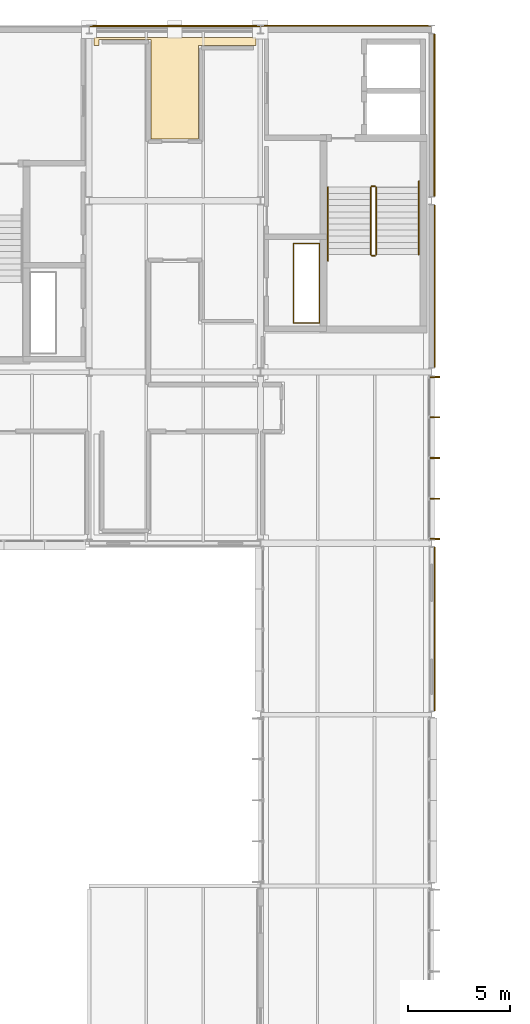
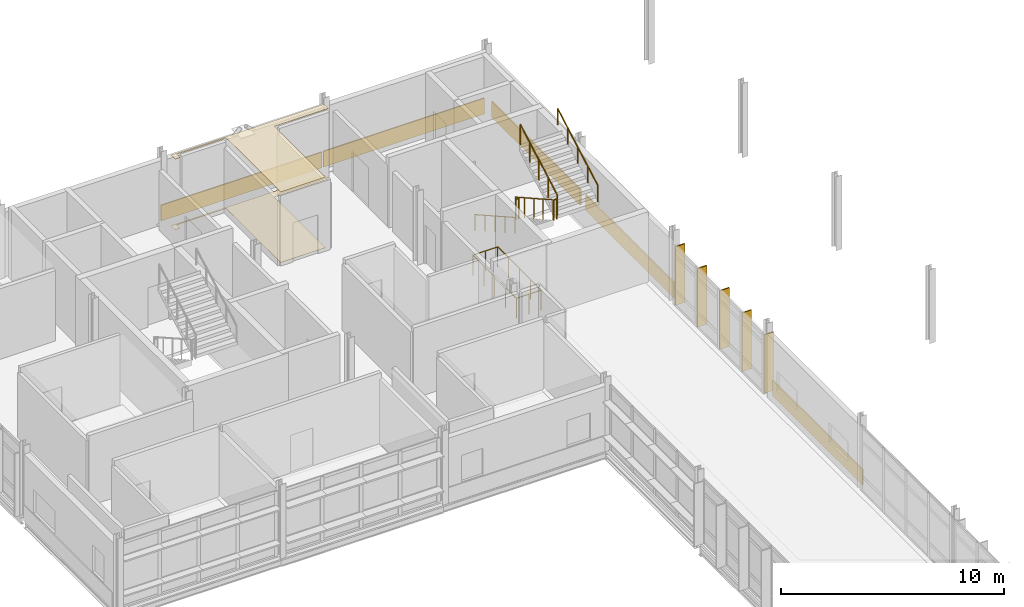
# One storey, part 66 of 66: 7 coverings, 7 railings, 5 shading devices.
"""IFC4 building model written with IfcOpenShell, lengths in metres."""

from ifc_helpers import new_model, si_unit, direction, frame, origin, origin_2d, place, context, subcontext, project, spatial, polyline, rectangle, circle, outline, extrude, material, layer, layer_set, type_object, element, save


model = new_model("IFC4")

# Units and contexts
model_context = context("Model", 3, precision=1e-05, world=origin(), true_north=direction((0.0, 1.0)))
body_context = subcontext(model_context, "Body", "Model", "MODEL_VIEW")
ifc_project = project(units=[si_unit("LENGTHUNIT", "METRE"), si_unit("AREAUNIT", "SQUARE_METRE"), si_unit("VOLUMEUNIT", "CUBIC_METRE"), si_unit("PLANEANGLEUNIT", "RADIAN"), si_unit("MASSUNIT", "GRAM", prefix="KILO")], contexts=[model_context])

# Site, building, storey
site_placement = place(None, origin())
site = spatial("IfcSite", under=ifc_project, at=site_placement, CompositionType="ELEMENT")
building_placement = place(site_placement, origin())
building = spatial("IfcBuilding", under=site, at=building_placement, Name="Mersafa Astral City Hall", CompositionType="ELEMENT")
storey_placement = place(building_placement, frame((0.0, 0.0, 22.050048828125)))
storey = spatial("IfcBuildingStorey", under=building, at=storey_placement, Name="L05", CompositionType="ELEMENT", Elevation=22.050048828125)

# Coverings
ifc_material_1 = material(Name="Cairo Mokattam buff limestone cladding", Category="masonry")
ifc_layer_1 = layer(ifc_material_1, 0.06005859375, Name="Cairo Mokattam buff limestone cladding")
ifc_layer_set_1 = layer_set([ifc_layer_1], Name="Cairo Mokattam buff limestone cladding — ENV-COV-LIMESTONE-60")
covering_type_1 = type_object("IfcCoveringType", Name="ENV-COV-LIMESTONE-60", PredefinedType="CLADDING", material=ifc_layer_set_1)
covering_1_placement = place(storey_placement, frame((176.554443359375, 96.590087890625, 0.0), z_axis=(0.0, 0.0, 1.0), x_axis=(0.0, 1.0, 0.0)))
element("IfcCovering", 1, at=covering_1_placement, inside=storey, type_object=covering_type_1, Name="L05 Cairo buff limestone rainscreen cladding 323", PredefinedType="CLADDING", context=body_context, shape_type="SweptSolid", body=[
    extrude(rectangle(XDim=8.028076171875, YDim=0.06005859375, at=origin_2d()), origin(), (0.0, 0.0, 1.0), 0.860107421875),
])
for number, where, z_axis, x_axis, name in (
    (2, (176.547119140625, 113.39990234375, 0.0), (0.0, 0.0, 1.0), (0.0, 1.0, 0.0), "L05 Cairo buff limestone rainscreen cladding 324"),
    (3, (176.53955078125, 121.800048828125, 0.0), (0.0, 0.0, 1.0), (0.0, 1.0, 0.0), "L05 Cairo buff limestone rainscreen cladding 325"),
):
    element("IfcCovering", number, at=place(storey_placement, frame(where, z_axis=z_axis, x_axis=x_axis)), inside=storey, type_object=covering_type_1, Name=name, PredefinedType="CLADDING", context=body_context, shape_type="SweptSolid", body=[
        extrude(rectangle(XDim=7.947998046875, YDim=0.06005859375, at=origin_2d()), origin(), (0.0, 0.0, 1.0), 0.860107421875),
    ])
for number, where, z_axis, x_axis, name in (
    (4, (172.199951171875, 126.177001953125, 0.0), (0.0, 0.0, 1.0), (-1.0, 0.0, 0.0), "L05 Cairo buff limestone rainscreen cladding 326"),
    (5, (163.800048828125, 126.16943359375, 0.0), (0.0, 0.0, 1.0), (-1.0, 0.0, 0.0), "L05 Cairo buff limestone rainscreen cladding 327"),
):
    element("IfcCovering", number, at=place(storey_placement, frame(where, z_axis=z_axis, x_axis=x_axis)), inside=storey, type_object=covering_type_1, Name=name, PredefinedType="CLADDING", context=body_context, shape_type="SweptSolid", body=[
        extrude(rectangle(XDim=8.323974609375, YDim=0.06005859375, at=origin_2d()), origin(), (0.0, 0.0, 1.0), 0.860107421875),
    ])

# Shading devices
ifc_material_2 = material(Name="Anodised bronze aluminium solar fin", Category="aluminium")
shading_device_type = type_object("IfcShadingDeviceType", Name="ENV-SHD-FIN-500A", PredefinedType="USERDEFINED", material=ifc_material_2)
for number, where, z_axis, x_axis, name in (
    (6, (176.544921875, 101.011962890625, -0.01513671875), (0.0, 0.0, 1.0), (0.0, 1.0, 0.0), "L05 Vertical bronze solar fin 1455"),
    (7, (176.544921875, 102.9833984375, -0.01513671875), (0.0, 0.0, 1.0), (0.0, 1.0, 0.0), "L05 Vertical bronze solar fin 1456"),
    (8, (176.544921875, 104.985107421875, -0.01513671875), (0.0, 0.0, 1.0), (0.0, 1.0, 0.0), "L05 Vertical bronze solar fin 1457"),
    (9, (176.544921875, 106.986572265625, -0.01513671875), (0.0, 0.0, 1.0), (0.0, 1.0, 0.0), "L05 Vertical bronze solar fin 1458"),
    (10, (176.544921875, 108.9580078125, -0.01513671875), (0.0, 0.0, 1.0), (0.0, 1.0, 0.0), "L05 Vertical bronze solar fin 1459"),
):
    element("IfcShadingDevice", number, at=place(storey_placement, frame(where, z_axis=z_axis, x_axis=x_axis)), inside=storey, type_object=shading_device_type, Name=name, ObjectType="FIN", PredefinedType="USERDEFINED", context=body_context, shape_type="SweptSolid", body=[
        extrude(rectangle(XDim=0.06005859375, YDim=0.5, at=origin_2d()), origin(), (0.0, 0.0, 1.0), 3.20703125),
    ])

# Railings
ifc_material_3 = material(Name="Painted architectural steel stair guard balustrade", Category="steel")
railing_type_1 = type_object("IfcRailingType", Name="GUARD-RAIL", PredefinedType="BALUSTRADE", material=ifc_material_3)
railing_1_placement = place(storey_placement, frame((173.409912109375, 118.260009765625, 0.168701171875)))
element("IfcRailing", 11, at=railing_1_placement, inside=storey, type_object=railing_type_1, Name="L05 ST2 stair guard 1", PredefinedType="BALUSTRADE", context=body_context, shape_type="SweptSolid", body=[
    extrude(circle(Radius=0.02392578125, at=origin_2d()), frame((0.0, 0.0, 1.09619140625), z_axis=(0.0, -0.871584147158, 0.490245932592), x_axis=(1.0, 0.0, 0.0)), (0.0, 0.0, 1.0), 3.786376953125),
    extrude(circle(Radius=0.02099609375, at=origin_2d()), origin(), (0.0, 0.0, 1.0), 1.072021484375),
    extrude(circle(Radius=0.02099609375, at=origin_2d()), frame((0.0, -0.824951171875, 0.464111328125)), (0.0, 0.0, 1.0), 1.072021484375),
    extrude(circle(Radius=0.02099609375, at=origin_2d()), frame((0.0, -1.64990234375, 0.92822265625)), (0.0, 0.0, 1.0), 1.072021484375),
    extrude(circle(Radius=0.02099609375, at=origin_2d()), frame((0.0, -2.47509765625, 1.39208984375)), (0.0, 0.0, 1.0), 1.072021484375),
    extrude(circle(Radius=0.02099609375, at=origin_2d()), frame((0.0, -3.300048828125, 1.856201171875)), (0.0, 0.0, 1.0), 1.072021484375),
])
railing_2_placement = place(storey_placement, frame((173.4599609375, 114.909912109375, 2.02490234375)))
element("IfcRailing", 12, at=railing_2_placement, inside=storey, type_object=railing_type_1, Name="L05 ST2 stair guard 2", PredefinedType="BALUSTRADE", context=body_context, shape_type="SweptSolid", body=[
    extrude(circle(Radius=0.02392578125, at=origin_2d()), frame((0.0, 0.0, 1.09619140625), z_axis=(1.0, 0.0, 0.0), x_axis=(0.0, 1.0, 0.0)), (0.0, 0.0, 1.0), 0.16015625),
    extrude(circle(Radius=0.02099609375, at=origin_2d()), origin(), (0.0, 0.0, 1.0), 1.072021484375),
    extrude(circle(Radius=0.02099609375, at=origin_2d()), frame((0.16015625, 0.0, 0.0)), (0.0, 0.0, 1.0), 1.072021484375),
])
railing_3_placement = place(storey_placement, frame((173.669921875, 114.9599609375, 2.193603515625)))
element("IfcRailing", 13, at=railing_3_placement, inside=storey, type_object=railing_type_1, Name="L05 ST2 stair guard 3", PredefinedType="BALUSTRADE", context=body_context, shape_type="SweptSolid", body=[
    extrude(circle(Radius=0.02392578125, at=origin_2d()), frame((0.0, 0.0, 1.09619140625), z_axis=(0.0, 0.871556594703, 0.490294913526), x_axis=(-1.0, 0.0, 0.0)), (0.0, 0.0, 1.0), 3.786376953125),
    extrude(circle(Radius=0.02099609375, at=origin_2d()), origin(), (0.0, 0.0, 1.0), 1.072021484375),
    extrude(circle(Radius=0.02099609375, at=origin_2d()), frame((0.0, 0.824951171875, 0.464111328125)), (0.0, 0.0, 1.0), 1.072021484375),
    extrude(circle(Radius=0.02099609375, at=origin_2d()), frame((0.0, 1.64990234375, 0.92822265625)), (0.0, 0.0, 1.0), 1.072021484375),
    extrude(circle(Radius=0.02099609375, at=origin_2d()), frame((0.0, 2.47509765625, 1.392333984375)), (0.0, 0.0, 1.0), 1.072021484375),
    extrude(circle(Radius=0.02099609375, at=origin_2d()), frame((0.0, 3.300048828125, 1.8564453125)), (0.0, 0.0, 1.0), 1.072021484375),
])
railing_4_placement = place(storey_placement, frame((173.4599609375, 118.31005859375, 0.0)))
element("IfcRailing", 14, at=railing_4_placement, inside=storey, type_object=railing_type_1, Name="L05 ST2 stair guard 4", PredefinedType="BALUSTRADE", context=body_context, shape_type="SweptSolid", body=[
    extrude(circle(Radius=0.02392578125, at=origin_2d()), frame((0.0, 0.0, 1.09619140625), z_axis=(1.0, 0.0, 0.0), x_axis=(0.0, 1.0, 0.0)), (0.0, 0.0, 1.0), 0.16015625),
    extrude(circle(Radius=0.02099609375, at=origin_2d()), origin(), (0.0, 0.0, 1.0), 1.072021484375),
    extrude(circle(Radius=0.02099609375, at=origin_2d()), frame((0.16015625, 0.0, 0.0)), (0.0, 0.0, 1.0), 1.072021484375),
])
railing_5_placement = place(storey_placement, frame((169.6201171875, 111.60009765625, 0.0)))
element("IfcRailing", 15, at=railing_5_placement, inside=storey, type_object=railing_type_1, Name="L05 K2 MEP Riser Shaft Guard", PredefinedType="BALUSTRADE", context=body_context, shape_type="SweptSolid", body=[
    extrude(circle(Radius=0.02392578125, at=origin_2d()), frame((0.0, 0.0, 1.09619140625), z_axis=(1.0, 0.0, 0.0), x_axis=(0.0, 1.0, 0.0)), (0.0, 0.0, 1.0), 1.27978515625),
    extrude(circle(Radius=0.02392578125, at=origin_2d()), frame((1.27978515625, 0.0, 1.09619140625), z_axis=(0.0, 1.0, 0.0), x_axis=(-1.0, 0.0, 0.0)), (0.0, 0.0, 1.0), 3.89990234375),
    extrude(circle(Radius=0.02392578125, at=origin_2d()), frame((1.27978515625, 3.89990234375, 1.09619140625), z_axis=(-1.0, 0.0, 0.0), x_axis=(0.0, -1.0, 0.0)), (0.0, 0.0, 1.0), 1.27978515625),
    extrude(circle(Radius=0.02392578125, at=origin_2d()), frame((0.0, 3.89990234375, 1.09619140625), z_axis=(0.0, -1.0, 0.0), x_axis=(1.0, 0.0, 0.0)), (0.0, 0.0, 1.0), 3.89990234375),
    extrude(circle(Radius=0.02099609375, at=origin_2d()), origin(), (0.0, 0.0, 1.0), 1.072021484375),
    extrude(circle(Radius=0.02099609375, at=origin_2d()), frame((0.639892578125, 0.0, 0.0)), (0.0, 0.0, 1.0), 1.072021484375),
    extrude(circle(Radius=0.02099609375, at=origin_2d()), frame((1.27978515625, 0.0, 0.0)), (0.0, 0.0, 1.0), 1.072021484375),
    extrude(circle(Radius=0.02099609375, at=origin_2d()), frame((1.27978515625, 0.97509765625, 0.0)), (0.0, 0.0, 1.0), 1.072021484375),
    extrude(circle(Radius=0.02099609375, at=origin_2d()), frame((1.27978515625, 1.949951171875, 0.0)), (0.0, 0.0, 1.0), 1.072021484375),
    extrude(circle(Radius=0.02099609375, at=origin_2d()), frame((1.27978515625, 2.9248046875, 0.0)), (0.0, 0.0, 1.0), 1.072021484375),
    extrude(circle(Radius=0.02099609375, at=origin_2d()), frame((1.27978515625, 3.89990234375, 0.0)), (0.0, 0.0, 1.0), 1.072021484375),
    extrude(circle(Radius=0.02099609375, at=origin_2d()), frame((0.639892578125, 3.89990234375, 0.0)), (0.0, 0.0, 1.0), 1.072021484375),
    extrude(circle(Radius=0.02099609375, at=origin_2d()), frame((0.0, 3.89990234375, 0.0)), (0.0, 0.0, 1.0), 1.072021484375),
    extrude(circle(Radius=0.02099609375, at=origin_2d()), frame((0.0, 2.9248046875, 0.0)), (0.0, 0.0, 1.0), 1.072021484375),
    extrude(circle(Radius=0.02099609375, at=origin_2d()), frame((0.0, 1.949951171875, 0.0)), (0.0, 0.0, 1.0), 1.072021484375),
    extrude(circle(Radius=0.02099609375, at=origin_2d()), frame((0.0, 0.97509765625, 0.0)), (0.0, 0.0, 1.0), 1.072021484375),
])
ifc_material_4 = material(Name="Brushed stainless steel tubular handrail", Category="steel")
railing_type_2 = type_object("IfcRailingType", Name="HANDRAIL", PredefinedType="HANDRAIL", material=ifc_material_4)
railing_6_placement = place(storey_placement, frame((171.31005859375, 118.260009765625, 0.168701171875)))
element("IfcRailing", 16, at=railing_6_placement, inside=storey, type_object=railing_type_2, Name="L05 ST2 stair handrail 1", PredefinedType="HANDRAIL", context=body_context, shape_type="SweptSolid", body=[
    extrude(circle(Radius=0.02392578125, at=origin_2d()), frame((0.0, 0.0, 0.8759765625), z_axis=(0.0, -0.871262930089, 0.49081657129), x_axis=(1.0, 0.0, 0.0)), (0.0, 0.0, 1.0), 4.132080078125),
    extrude(circle(Radius=0.02099609375, at=origin_2d()), origin(), (0.0, 0.0, 1.0), 0.851806640625),
    extrude(circle(Radius=0.02099609375, at=origin_2d()), frame((0.0, -0.89990234375, 0.507080078125)), (0.0, 0.0, 1.0), 0.851806640625),
    extrude(circle(Radius=0.02099609375, at=origin_2d()), frame((0.0, -1.800048828125, 1.01416015625)), (0.0, 0.0, 1.0), 0.851806640625),
    extrude(circle(Radius=0.02099609375, at=origin_2d()), frame((0.0, -2.7001953125, 1.52099609375)), (0.0, 0.0, 1.0), 0.851806640625),
    extrude(circle(Radius=0.02099609375, at=origin_2d()), frame((0.0, -3.60009765625, 2.028076171875)), (0.0, 0.0, 1.0), 0.851806640625),
])
railing_7_placement = place(storey_placement, frame((175.77001953125, 114.9599609375, 2.193603515625)))
element("IfcRailing", 17, at=railing_7_placement, inside=storey, type_object=railing_type_2, Name="L05 ST2 stair handrail 2", PredefinedType="HANDRAIL", context=body_context, shape_type="SweptSolid", body=[
    extrude(circle(Radius=0.02392578125, at=origin_2d()), frame((0.0, 0.0, 0.8759765625), z_axis=(0.0, 0.871262930089, 0.49081657129), x_axis=(-1.0, 0.0, 0.0)), (0.0, 0.0, 1.0), 4.132080078125),
    extrude(circle(Radius=0.02099609375, at=origin_2d()), origin(), (0.0, 0.0, 1.0), 0.851806640625),
    extrude(circle(Radius=0.02099609375, at=origin_2d()), frame((0.0, 0.89990234375, 0.507080078125)), (0.0, 0.0, 1.0), 0.851806640625),
    extrude(circle(Radius=0.02099609375, at=origin_2d()), frame((0.0, 1.800048828125, 1.01416015625)), (0.0, 0.0, 1.0), 0.851806640625),
    extrude(circle(Radius=0.02099609375, at=origin_2d()), frame((0.0, 2.7001953125, 1.52099609375)), (0.0, 0.0, 1.0), 0.851806640625),
    extrude(circle(Radius=0.02099609375, at=origin_2d()), frame((0.0, 3.60009765625, 2.028076171875)), (0.0, 0.0, 1.0), 0.851806640625),
])

# Coverings
ifc_material_5 = material(Name="Perforated acoustic gypsum board ceiling", Category="gypsum")
ifc_layer_2 = layer(ifc_material_5, 0.02490234375, Name="Perforated acoustic gypsum board ceiling")
ifc_layer_set_2 = layer_set([ifc_layer_2], Name="Perforated acoustic gypsum board ceiling — INT-COV-CEIL-25")
covering_type_2 = type_object("IfcCoveringType", Name="INT-COV-CEIL-25", PredefinedType="CEILING", material=ifc_layer_set_2)
covering_2_placement = place(storey_placement, frame((0.0, 0.0, 3.85595703125)))
element("IfcCovering", 18, at=covering_2_placement, inside=storey, type_object=covering_type_2, Name="L05 Protocol & Civic Events Office L05-20 acoustic ceiling", PredefinedType="CEILING", context=body_context, shape_type="SweptSolid", body=[
    extrude(outline(polyline([(164.9599609375, 125.219970703125), (164.9599609375, 120.639892578125), (162.639892578125, 120.639892578125), (162.639892578125, 125.52001953125), (160.080078125, 125.52001953125), (160.080078125, 125.219970703125), (159.830078125, 125.219970703125), (159.830078125, 125.60009765625), (167.77001953125, 125.60009765625), (167.77001953125, 125.219970703125), (164.9599609375, 125.219970703125)])), origin(), (0.0, 0.0, 1.0), 0.02490234375),
])
ifc_material_6 = material(Name="Heavy-duty woven acoustic carpet tile", Category="finish")
ifc_layer_3 = layer(ifc_material_6, 0.014892578125, Name="Heavy-duty woven acoustic carpet tile")
ifc_layer_set_3 = layer_set([ifc_layer_3], Name="Heavy-duty woven acoustic carpet tile — INT-COV-FLR-15")
covering_type_3 = type_object("IfcCoveringType", Name="INT-COV-FLR-15", PredefinedType="FLOORING", material=ifc_layer_set_3)
covering_3_placement = place(storey_placement, frame((0.0, 0.0, -0.00146484375)))
element("IfcCovering", 19, at=covering_3_placement, inside=storey, type_object=covering_type_3, Name="L05 Protocol & Civic Events Office L05-20 architectural flooring", PredefinedType="FLOORING", context=body_context, shape_type="SweptSolid", body=[
    extrude(outline(polyline([(164.9599609375, 125.219970703125), (164.9599609375, 120.639892578125), (162.639892578125, 120.639892578125), (162.639892578125, 125.52001953125), (160.080078125, 125.52001953125), (160.080078125, 125.219970703125), (159.830078125, 125.219970703125), (159.830078125, 125.60009765625), (167.77001953125, 125.60009765625), (167.77001953125, 125.219970703125), (164.9599609375, 125.219970703125)])), origin(), (0.0, 0.0, 1.0), 0.014892578125),
])

save(model, "model.ifc")
